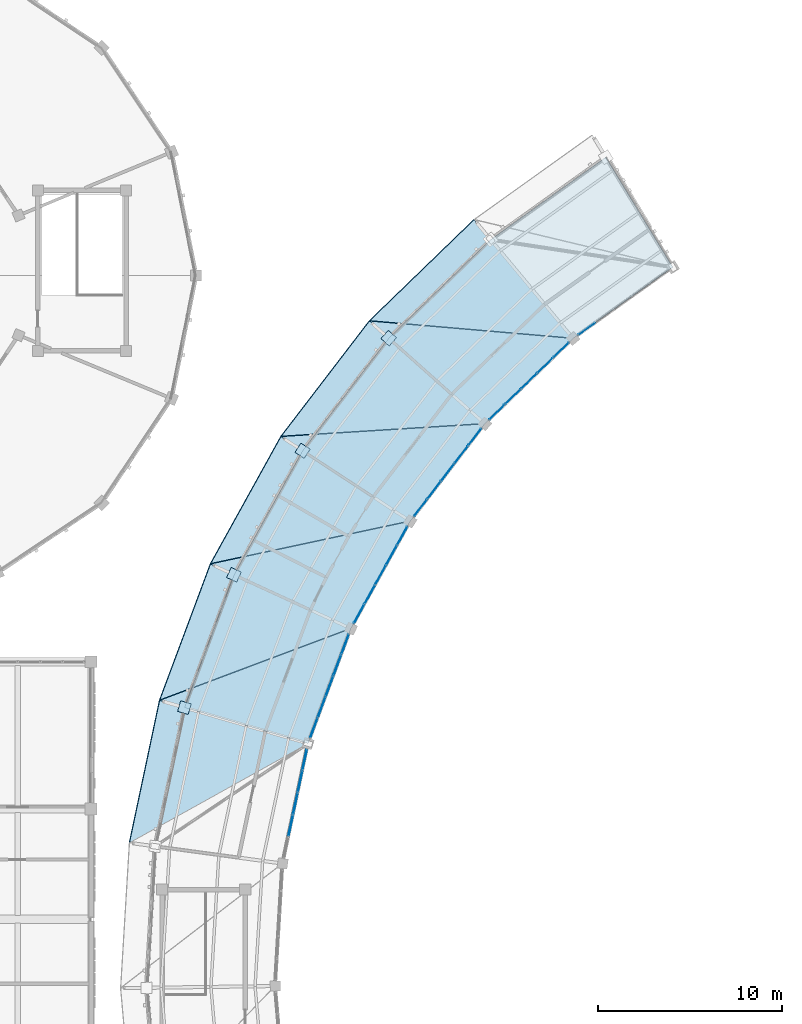
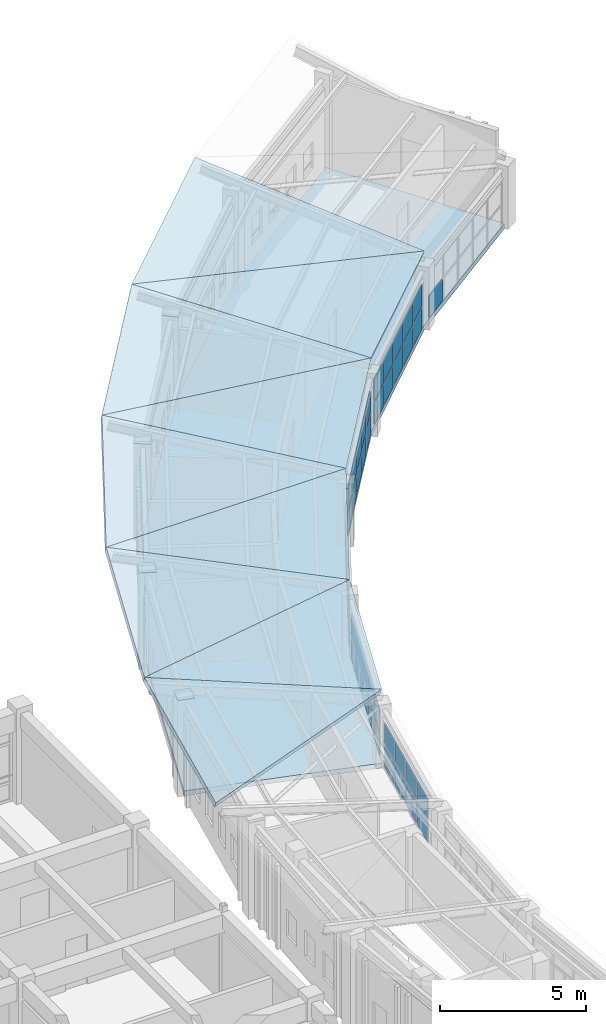
# One storey, part 107 of 149: 53 plates, 10 slabs, 6 elements without a shape of their own.
"""IFC4 building model written with IfcOpenShell, lengths in metres."""

from ifc_helpers import new_model, si_unit, direction, frame, origin, origin_2d, place, context, subcontext, project, spatial, polyline, rectangle, outline, extrude, material, layer, layer_set, type_object, element, aggregate, save


model = new_model("IFC4")

# Units and contexts
model_context = context("Model", 3, precision=1e-05, world=origin(), true_north=direction((0.0, 1.0)))
body_context = subcontext(model_context, "Body", "Model", "MODEL_VIEW")
ifc_project = project(units=[si_unit("LENGTHUNIT", "METRE"), si_unit("AREAUNIT", "SQUARE_METRE"), si_unit("VOLUMEUNIT", "CUBIC_METRE"), si_unit("PLANEANGLEUNIT", "RADIAN"), si_unit("MASSUNIT", "GRAM", prefix="KILO")], contexts=[model_context])

# Site, building, storey
site_placement = place(None, origin())
site = spatial("IfcSite", under=ifc_project, at=site_placement, CompositionType="ELEMENT")
building_placement = place(site_placement, origin())
building = spatial("IfcBuilding", under=site, at=building_placement, Name="Celadon Cloister-Ring School", CompositionType="ELEMENT")
storey_placement = place(building_placement, frame((0.0, 0.0, 12.5)))
storey = spatial("IfcBuildingStorey", under=building, at=storey_placement, Name="L03", CompositionType="ELEMENT", Elevation=12.5)

# Curtain wall, plate
ifc_material_1 = material(Name="Aluminium EN AW-6063 T6", Category="aluminium")
curtain_wall_type = type_object("IfcCurtainWallType", Name="CW-02", PredefinedType="USERDEFINED", material=ifc_material_1)
curtain_wall_1_placement = place(storey_placement, origin())
curtain_wall_1 = element("IfcCurtainWall", 1, at=curtain_wall_1_placement, inside=storey, type_object=curtain_wall_type, Name="Curtain Wall 0044", ObjectType="CURTAIN WALL", PredefinedType="USERDEFINED")
ifc_material_2 = material(Name="Tempered laminated insulating glass", Category="glass")
ifc_layer_1 = layer(ifc_material_2, 0.035888671875)
ifc_layer_set_1 = layer_set([ifc_layer_1], Name="Tempered laminated insulating glass")
plate_type_1 = type_object("IfcPlateType", Name="CPN-03", PredefinedType="CURTAIN_PANEL", material=ifc_layer_set_1)
plate_1_placement = place(storey_placement, frame((58.925048828125, 94.093994140625, 0.074951171875), z_axis=(0.0, 0.0, 1.0), x_axis=(-0.813445783279, -0.581640746221, 0.0)))
plate_1 = element("IfcPlate", 2, at=plate_1_placement, type_object=plate_type_1, Name="CW-02 panel 5.1", PredefinedType="CURTAIN_PANEL", context=body_context, shape_type="SweptSolid", body=[
    extrude(rectangle(XDim=1.101806640625, YDim=0.035888671875, at=origin_2d()), origin(), (0.0, 0.0, 1.0), 0.8974609375),
])
aggregate(curtain_wall_1, [plate_1])

# Curtain wall, plates
curtain_wall_2_placement = place(storey_placement, origin())
curtain_wall_2 = element("IfcCurtainWall", 3, at=curtain_wall_2_placement, inside=storey, type_object=curtain_wall_type, Name="Curtain Wall 0045", ObjectType="CURTAIN WALL", PredefinedType="USERDEFINED")
plate_2_placement = place(storey_placement, frame((57.53173828125, 92.93212890625, 0.074951171875), z_axis=(0.0, 0.0, 1.0), x_axis=(-0.718552007078, -0.695473229624, 0.0)))
plate_2 = element("IfcPlate", 4, at=plate_2_placement, type_object=plate_type_1, Name="CW-02 panel 1.1", PredefinedType="CURTAIN_PANEL", context=body_context, shape_type="SweptSolid", body=[
    extrude(rectangle(XDim=1.101806640625, YDim=0.035888671875, at=origin_2d()), origin(), (0.0, 0.0, 1.0), 0.8974609375),
])
plate_3_placement = place(storey_placement, frame((57.53173828125, 92.93212890625, 1.047607421875), z_axis=(0.0, 0.0, 1.0), x_axis=(-0.718552007078, -0.695473229624, 0.0)))
plate_3 = element("IfcPlate", 5, at=plate_3_placement, type_object=plate_type_1, Name="CW-02 panel 1.2", PredefinedType="CURTAIN_PANEL", context=body_context, shape_type="SweptSolid", body=[
    extrude(rectangle(XDim=1.101806640625, YDim=0.035888671875, at=origin_2d()), origin(), (0.0, 0.0, 1.0), 0.8974609375),
])
plate_4_placement = place(storey_placement, frame((56.66796875, 92.09619140625, 0.074951171875), z_axis=(0.0, 0.0, 1.0), x_axis=(-0.718552007078, -0.695473229624, 0.0)))
plate_4 = element("IfcPlate", 6, at=plate_4_placement, type_object=plate_type_1, Name="CW-02 panel 2.1", PredefinedType="CURTAIN_PANEL", context=body_context, shape_type="SweptSolid", body=[
    extrude(rectangle(XDim=1.141845703125, YDim=0.035888671875, at=origin_2d()), origin(), (0.0, 0.0, 1.0), 0.8974609375),
])
plate_5_placement = place(storey_placement, frame((56.66796875, 92.09619140625, 1.047607421875), z_axis=(0.0, 0.0, 1.0), x_axis=(-0.718552007078, -0.695473229624, 0.0)))
plate_5 = element("IfcPlate", 7, at=plate_5_placement, type_object=plate_type_1, Name="CW-02 panel 2.2", PredefinedType="CURTAIN_PANEL", context=body_context, shape_type="SweptSolid", body=[
    extrude(rectangle(XDim=1.141845703125, YDim=0.035888671875, at=origin_2d()), origin(), (0.0, 0.0, 1.0), 0.8974609375),
])
plate_6_placement = place(storey_placement, frame((55.7900390625, 91.24658203125, 0.074951171875), z_axis=(0.0, 0.0, 1.0), x_axis=(-0.718552007078, -0.695473229624, 0.0)))
plate_6 = element("IfcPlate", 8, at=plate_6_placement, type_object=plate_type_1, Name="CW-02 panel 3.1", PredefinedType="CURTAIN_PANEL", context=body_context, shape_type="SweptSolid", body=[
    extrude(rectangle(XDim=1.141845703125, YDim=0.035888671875, at=origin_2d()), origin(), (0.0, 0.0, 1.0), 0.8974609375),
])
plate_7_placement = place(storey_placement, frame((55.7900390625, 91.24658203125, 1.047607421875), z_axis=(0.0, 0.0, 1.0), x_axis=(-0.718552007078, -0.695473229624, 0.0)))
plate_7 = element("IfcPlate", 9, at=plate_7_placement, type_object=plate_type_1, Name="CW-02 panel 3.2", PredefinedType="CURTAIN_PANEL", context=body_context, shape_type="SweptSolid", body=[
    extrude(rectangle(XDim=1.141845703125, YDim=0.035888671875, at=origin_2d()), origin(), (0.0, 0.0, 1.0), 0.8974609375),
])
plate_8_placement = place(storey_placement, frame((54.912109375, 90.396728515625, 0.074951171875), z_axis=(0.0, 0.0, 1.0), x_axis=(-0.718552007078, -0.695473229624, 0.0)))
plate_8 = element("IfcPlate", 10, at=plate_8_placement, type_object=plate_type_1, Name="CW-02 panel 4.1", PredefinedType="CURTAIN_PANEL", context=body_context, shape_type="SweptSolid", body=[
    extrude(rectangle(XDim=1.141845703125, YDim=0.035888671875, at=origin_2d()), origin(), (0.0, 0.0, 1.0), 0.8974609375),
])
plate_9_placement = place(storey_placement, frame((54.912109375, 90.396728515625, 1.047607421875), z_axis=(0.0, 0.0, 1.0), x_axis=(-0.718552007078, -0.695473229624, 0.0)))
plate_9 = element("IfcPlate", 11, at=plate_9_placement, type_object=plate_type_1, Name="CW-02 panel 4.2", PredefinedType="CURTAIN_PANEL", context=body_context, shape_type="SweptSolid", body=[
    extrude(rectangle(XDim=1.141845703125, YDim=0.035888671875, at=origin_2d()), origin(), (0.0, 0.0, 1.0), 0.8974609375),
])
plate_10_placement = place(storey_placement, frame((54.04833984375, 89.560791015625, 0.074951171875), z_axis=(0.0, 0.0, 1.0), x_axis=(-0.718552007078, -0.695473229624, 0.0)))
plate_10 = element("IfcPlate", 12, at=plate_10_placement, type_object=plate_type_1, Name="CW-02 panel 5.1", PredefinedType="CURTAIN_PANEL", context=body_context, shape_type="SweptSolid", body=[
    extrude(rectangle(XDim=1.101806640625, YDim=0.035888671875, at=origin_2d()), origin(), (0.0, 0.0, 1.0), 0.8974609375),
])
plate_11_placement = place(storey_placement, frame((54.04833984375, 89.560791015625, 1.047607421875), z_axis=(0.0, 0.0, 1.0), x_axis=(-0.718552007078, -0.695473229624, 0.0)))
plate_11 = element("IfcPlate", 13, at=plate_11_placement, type_object=plate_type_1, Name="CW-02 panel 5.2", PredefinedType="CURTAIN_PANEL", context=body_context, shape_type="SweptSolid", body=[
    extrude(rectangle(XDim=1.101806640625, YDim=0.035888671875, at=origin_2d()), origin(), (0.0, 0.0, 1.0), 0.8974609375),
])
aggregate(curtain_wall_2, [plate_2, plate_3, plate_4, plate_5, plate_6, plate_7, plate_8, plate_9, plate_10, plate_11])

curtain_wall_3_placement = place(storey_placement, origin())
curtain_wall_3 = element("IfcCurtainWall", 14, at=curtain_wall_3_placement, inside=storey, type_object=curtain_wall_type, Name="Curtain Wall 0046", ObjectType="CURTAIN WALL", PredefinedType="USERDEFINED")
plate_12_placement = place(storey_placement, frame((52.84228515625, 88.2060546875, 0.074951171875), z_axis=(0.0, 0.0, 1.0), x_axis=(-0.608008842091, -0.793930253825, 0.0)))
plate_12 = element("IfcPlate", 15, at=plate_12_placement, type_object=plate_type_1, Name="CW-02 panel 1.1", PredefinedType="CURTAIN_PANEL", context=body_context, shape_type="SweptSolid", body=[
    extrude(rectangle(XDim=1.10205078125, YDim=0.035888671875, at=origin_2d()), origin(), (0.0, 0.0, 1.0), 0.8974609375),
])
plate_13_placement = place(storey_placement, frame((52.84228515625, 88.2060546875, 1.047607421875), z_axis=(0.0, 0.0, 1.0), x_axis=(-0.608008842091, -0.793930253825, 0.0)))
plate_13 = element("IfcPlate", 16, at=plate_13_placement, type_object=plate_type_1, Name="CW-02 panel 1.2", PredefinedType="CURTAIN_PANEL", context=body_context, shape_type="SweptSolid", body=[
    extrude(rectangle(XDim=1.10205078125, YDim=0.035888671875, at=origin_2d()), origin(), (0.0, 0.0, 1.0), 0.8974609375),
])
plate_14_placement = place(storey_placement, frame((52.111572265625, 87.251708984375, 0.074951171875), z_axis=(0.0, 0.0, 1.0), x_axis=(-0.608008842091, -0.793930253825, 0.0)))
plate_14 = element("IfcPlate", 17, at=plate_14_placement, type_object=plate_type_1, Name="CW-02 panel 2.1", PredefinedType="CURTAIN_PANEL", context=body_context, shape_type="SweptSolid", body=[
    extrude(rectangle(XDim=1.14208984375, YDim=0.035888671875, at=origin_2d()), origin(), (0.0, 0.0, 1.0), 0.8974609375),
])
plate_15_placement = place(storey_placement, frame((52.111572265625, 87.251708984375, 1.047607421875), z_axis=(0.0, 0.0, 1.0), x_axis=(-0.608008842091, -0.793930253825, 0.0)))
plate_15 = element("IfcPlate", 18, at=plate_15_placement, type_object=plate_type_1, Name="CW-02 panel 2.2", PredefinedType="CURTAIN_PANEL", context=body_context, shape_type="SweptSolid", body=[
    extrude(rectangle(XDim=1.14208984375, YDim=0.035888671875, at=origin_2d()), origin(), (0.0, 0.0, 1.0), 0.8974609375),
])
plate_16_placement = place(storey_placement, frame((51.368408203125, 86.281494140625, 0.074951171875), z_axis=(0.0, 0.0, 1.0), x_axis=(-0.608008842091, -0.793930253825, 0.0)))
plate_16 = element("IfcPlate", 19, at=plate_16_placement, type_object=plate_type_1, Name="CW-02 panel 3.1", PredefinedType="CURTAIN_PANEL", context=body_context, shape_type="SweptSolid", body=[
    extrude(rectangle(XDim=1.14208984375, YDim=0.035888671875, at=origin_2d()), origin(), (0.0, 0.0, 1.0), 0.8974609375),
])
plate_17_placement = place(storey_placement, frame((51.368408203125, 86.281494140625, 1.047607421875), z_axis=(0.0, 0.0, 1.0), x_axis=(-0.608008842091, -0.793930253825, 0.0)))
plate_17 = element("IfcPlate", 20, at=plate_17_placement, type_object=plate_type_1, Name="CW-02 panel 3.2", PredefinedType="CURTAIN_PANEL", context=body_context, shape_type="SweptSolid", body=[
    extrude(rectangle(XDim=1.14208984375, YDim=0.035888671875, at=origin_2d()), origin(), (0.0, 0.0, 1.0), 0.8974609375),
])
plate_18_placement = place(storey_placement, frame((50.62548828125, 85.311279296875, 0.074951171875), z_axis=(0.0, 0.0, 1.0), x_axis=(-0.608008842091, -0.793930253825, 0.0)))
plate_18 = element("IfcPlate", 21, at=plate_18_placement, type_object=plate_type_1, Name="CW-02 panel 4.1", PredefinedType="CURTAIN_PANEL", context=body_context, shape_type="SweptSolid", body=[
    extrude(rectangle(XDim=1.14208984375, YDim=0.035888671875, at=origin_2d()), origin(), (0.0, 0.0, 1.0), 0.8974609375),
])
plate_19_placement = place(storey_placement, frame((50.62548828125, 85.311279296875, 1.047607421875), z_axis=(0.0, 0.0, 1.0), x_axis=(-0.608008842091, -0.793930253825, 0.0)))
plate_19 = element("IfcPlate", 22, at=plate_19_placement, type_object=plate_type_1, Name="CW-02 panel 4.2", PredefinedType="CURTAIN_PANEL", context=body_context, shape_type="SweptSolid", body=[
    extrude(rectangle(XDim=1.14208984375, YDim=0.035888671875, at=origin_2d()), origin(), (0.0, 0.0, 1.0), 0.8974609375),
])
plate_20_placement = place(storey_placement, frame((49.894775390625, 84.35693359375, 0.074951171875), z_axis=(0.0, 0.0, 1.0), x_axis=(-0.608008842091, -0.793930253825, 0.0)))
plate_20 = element("IfcPlate", 23, at=plate_20_placement, type_object=plate_type_1, Name="CW-02 panel 5.1", PredefinedType="CURTAIN_PANEL", context=body_context, shape_type="SweptSolid", body=[
    extrude(rectangle(XDim=1.10205078125, YDim=0.035888671875, at=origin_2d()), origin(), (0.0, 0.0, 1.0), 0.8974609375),
])
plate_21_placement = place(storey_placement, frame((49.894775390625, 84.35693359375, 1.047607421875), z_axis=(0.0, 0.0, 1.0), x_axis=(-0.608008842091, -0.793930253825, 0.0)))
plate_21 = element("IfcPlate", 24, at=plate_21_placement, type_object=plate_type_1, Name="CW-02 panel 5.2", PredefinedType="CURTAIN_PANEL", context=body_context, shape_type="SweptSolid", body=[
    extrude(rectangle(XDim=1.10205078125, YDim=0.035888671875, at=origin_2d()), origin(), (0.0, 0.0, 1.0), 0.8974609375),
])
aggregate(curtain_wall_3, [plate_12, plate_13, plate_14, plate_15, plate_16, plate_17, plate_18, plate_19, plate_20, plate_21])

curtain_wall_4_placement = place(storey_placement, origin())
curtain_wall_4 = element("IfcCurtainWall", 25, at=curtain_wall_4_placement, inside=storey, type_object=curtain_wall_type, Name="Curtain Wall 0047", ObjectType="CURTAIN WALL", PredefinedType="USERDEFINED")
plate_22_placement = place(storey_placement, frame((48.901611328125, 82.8388671875, 0.074951171875), z_axis=(0.0, 0.0, 1.0), x_axis=(-0.483890699018, -0.875128442804, 0.0)))
plate_22 = element("IfcPlate", 26, at=plate_22_placement, type_object=plate_type_1, Name="CW-02 panel 1.1", PredefinedType="CURTAIN_PANEL", context=body_context, shape_type="SweptSolid", body=[
    extrude(rectangle(XDim=1.101806640625, YDim=0.035888671875, at=origin_2d()), origin(), (0.0, 0.0, 1.0), 0.8974609375),
])
plate_23_placement = place(storey_placement, frame((48.901611328125, 82.8388671875, 1.047607421875), z_axis=(0.0, 0.0, 1.0), x_axis=(-0.483890699018, -0.875128442804, 0.0)))
plate_23 = element("IfcPlate", 27, at=plate_23_placement, type_object=plate_type_1, Name="CW-02 panel 1.2", PredefinedType="CURTAIN_PANEL", context=body_context, shape_type="SweptSolid", body=[
    extrude(rectangle(XDim=1.101806640625, YDim=0.035888671875, at=origin_2d()), origin(), (0.0, 0.0, 1.0), 0.8974609375),
])
plate_24_placement = place(storey_placement, frame((48.3203125, 81.787109375, 0.074951171875), z_axis=(0.0, 0.0, 1.0), x_axis=(-0.483890699018, -0.875128442804, 0.0)))
plate_24 = element("IfcPlate", 28, at=plate_24_placement, type_object=plate_type_1, Name="CW-02 panel 2.1", PredefinedType="CURTAIN_PANEL", context=body_context, shape_type="SweptSolid", body=[
    extrude(rectangle(XDim=1.141845703125, YDim=0.035888671875, at=origin_2d()), origin(), (0.0, 0.0, 1.0), 0.8974609375),
])
plate_25_placement = place(storey_placement, frame((48.3203125, 81.787109375, 1.047607421875), z_axis=(0.0, 0.0, 1.0), x_axis=(-0.483890699018, -0.875128442804, 0.0)))
plate_25 = element("IfcPlate", 29, at=plate_25_placement, type_object=plate_type_1, Name="CW-02 panel 2.2", PredefinedType="CURTAIN_PANEL", context=body_context, shape_type="SweptSolid", body=[
    extrude(rectangle(XDim=1.141845703125, YDim=0.035888671875, at=origin_2d()), origin(), (0.0, 0.0, 1.0), 0.8974609375),
])
plate_26_placement = place(storey_placement, frame((47.72900390625, 80.718017578125, 0.074951171875), z_axis=(0.0, 0.0, 1.0), x_axis=(-0.483890699018, -0.875128442804, 0.0)))
plate_26 = element("IfcPlate", 30, at=plate_26_placement, type_object=plate_type_1, Name="CW-02 panel 3.1", PredefinedType="CURTAIN_PANEL", context=body_context, shape_type="SweptSolid", body=[
    extrude(rectangle(XDim=1.141845703125, YDim=0.035888671875, at=origin_2d()), origin(), (0.0, 0.0, 1.0), 0.8974609375),
])
plate_27_placement = place(storey_placement, frame((47.72900390625, 80.718017578125, 1.047607421875), z_axis=(0.0, 0.0, 1.0), x_axis=(-0.483890699018, -0.875128442804, 0.0)))
plate_27 = element("IfcPlate", 31, at=plate_27_placement, type_object=plate_type_1, Name="CW-02 panel 3.2", PredefinedType="CURTAIN_PANEL", context=body_context, shape_type="SweptSolid", body=[
    extrude(rectangle(XDim=1.141845703125, YDim=0.035888671875, at=origin_2d()), origin(), (0.0, 0.0, 1.0), 0.8974609375),
])
plate_28_placement = place(storey_placement, frame((47.1376953125, 79.648681640625, 0.074951171875), z_axis=(0.0, 0.0, 1.0), x_axis=(-0.483890699018, -0.875128442804, 0.0)))
plate_28 = element("IfcPlate", 32, at=plate_28_placement, type_object=plate_type_1, Name="CW-02 panel 4.1", PredefinedType="CURTAIN_PANEL", context=body_context, shape_type="SweptSolid", body=[
    extrude(rectangle(XDim=1.141845703125, YDim=0.035888671875, at=origin_2d()), origin(), (0.0, 0.0, 1.0), 0.8974609375),
])
plate_29_placement = place(storey_placement, frame((47.1376953125, 79.648681640625, 1.047607421875), z_axis=(0.0, 0.0, 1.0), x_axis=(-0.483890699018, -0.875128442804, 0.0)))
plate_29 = element("IfcPlate", 33, at=plate_29_placement, type_object=plate_type_1, Name="CW-02 panel 4.2", PredefinedType="CURTAIN_PANEL", context=body_context, shape_type="SweptSolid", body=[
    extrude(rectangle(XDim=1.141845703125, YDim=0.035888671875, at=origin_2d()), origin(), (0.0, 0.0, 1.0), 0.8974609375),
])
plate_30_placement = place(storey_placement, frame((46.556396484375, 78.59716796875, 0.074951171875), z_axis=(0.0, 0.0, 1.0), x_axis=(-0.483890699018, -0.875128442804, 0.0)))
plate_30 = element("IfcPlate", 34, at=plate_30_placement, type_object=plate_type_1, Name="CW-02 panel 5.1", PredefinedType="CURTAIN_PANEL", context=body_context, shape_type="SweptSolid", body=[
    extrude(rectangle(XDim=1.101806640625, YDim=0.035888671875, at=origin_2d()), origin(), (0.0, 0.0, 1.0), 0.8974609375),
])
plate_31_placement = place(storey_placement, frame((46.556396484375, 78.59716796875, 1.047607421875), z_axis=(0.0, 0.0, 1.0), x_axis=(-0.483890699018, -0.875128442804, 0.0)))
plate_31 = element("IfcPlate", 35, at=plate_31_placement, type_object=plate_type_1, Name="CW-02 panel 5.2", PredefinedType="CURTAIN_PANEL", context=body_context, shape_type="SweptSolid", body=[
    extrude(rectangle(XDim=1.101806640625, YDim=0.035888671875, at=origin_2d()), origin(), (0.0, 0.0, 1.0), 0.8974609375),
])
aggregate(curtain_wall_4, [plate_22, plate_23, plate_24, plate_25, plate_26, plate_27, plate_28, plate_29, plate_30, plate_31])

curtain_wall_5_placement = place(storey_placement, origin())
curtain_wall_5 = element("IfcCurtainWall", 36, at=curtain_wall_5_placement, inside=storey, type_object=curtain_wall_type, Name="Curtain Wall 0048", ObjectType="CURTAIN WALL", PredefinedType="USERDEFINED")
plate_32_placement = place(storey_placement, frame((45.798583984375, 76.948974609375, 0.074951171875), z_axis=(0.0, 0.0, 1.0), x_axis=(-0.349472568576, -0.93694659603, 0.0)))
plate_32 = element("IfcPlate", 37, at=plate_32_placement, type_object=plate_type_1, Name="CW-02 panel 1.1", PredefinedType="CURTAIN_PANEL", context=body_context, shape_type="SweptSolid", body=[
    extrude(rectangle(XDim=1.101806640625, YDim=0.035888671875, at=origin_2d()), origin(), (0.0, 0.0, 1.0), 0.8974609375),
])
plate_33_placement = place(storey_placement, frame((45.798583984375, 76.948974609375, 1.047607421875), z_axis=(0.0, 0.0, 1.0), x_axis=(-0.349472568576, -0.93694659603, 0.0)))
plate_33 = element("IfcPlate", 38, at=plate_33_placement, type_object=plate_type_1, Name="CW-02 panel 1.2", PredefinedType="CURTAIN_PANEL", context=body_context, shape_type="SweptSolid", body=[
    extrude(rectangle(XDim=1.101806640625, YDim=0.035888671875, at=origin_2d()), origin(), (0.0, 0.0, 1.0), 0.8974609375),
])
plate_34_placement = place(storey_placement, frame((45.37841796875, 75.82275390625, 0.074951171875), z_axis=(0.0, 0.0, 1.0), x_axis=(-0.349472568576, -0.93694659603, 0.0)))
plate_34 = element("IfcPlate", 39, at=plate_34_placement, type_object=plate_type_1, Name="CW-02 panel 2.1", PredefinedType="CURTAIN_PANEL", context=body_context, shape_type="SweptSolid", body=[
    extrude(rectangle(XDim=1.141845703125, YDim=0.035888671875, at=origin_2d()), origin(), (0.0, 0.0, 1.0), 0.8974609375),
])
plate_35_placement = place(storey_placement, frame((45.37841796875, 75.82275390625, 1.047607421875), z_axis=(0.0, 0.0, 1.0), x_axis=(-0.349472568576, -0.93694659603, 0.0)))
plate_35 = element("IfcPlate", 40, at=plate_35_placement, type_object=plate_type_1, Name="CW-02 panel 2.2", PredefinedType="CURTAIN_PANEL", context=body_context, shape_type="SweptSolid", body=[
    extrude(rectangle(XDim=1.141845703125, YDim=0.035888671875, at=origin_2d()), origin(), (0.0, 0.0, 1.0), 0.8974609375),
])
plate_36_placement = place(storey_placement, frame((44.951416015625, 74.677978515625, 0.074951171875), z_axis=(0.0, 0.0, 1.0), x_axis=(-0.349472568576, -0.93694659603, 0.0)))
plate_36 = element("IfcPlate", 41, at=plate_36_placement, type_object=plate_type_1, Name="CW-02 panel 3.1", PredefinedType="CURTAIN_PANEL", context=body_context, shape_type="SweptSolid", body=[
    extrude(rectangle(XDim=1.141845703125, YDim=0.035888671875, at=origin_2d()), origin(), (0.0, 0.0, 1.0), 0.8974609375),
])
plate_37_placement = place(storey_placement, frame((44.951416015625, 74.677978515625, 1.047607421875), z_axis=(0.0, 0.0, 1.0), x_axis=(-0.349472568576, -0.93694659603, 0.0)))
plate_37 = element("IfcPlate", 42, at=plate_37_placement, type_object=plate_type_1, Name="CW-02 panel 3.2", PredefinedType="CURTAIN_PANEL", context=body_context, shape_type="SweptSolid", body=[
    extrude(rectangle(XDim=1.141845703125, YDim=0.035888671875, at=origin_2d()), origin(), (0.0, 0.0, 1.0), 0.8974609375),
])
plate_38_placement = place(storey_placement, frame((44.5244140625, 73.533203125, 0.074951171875), z_axis=(0.0, 0.0, 1.0), x_axis=(-0.349472568576, -0.93694659603, 0.0)))
plate_38 = element("IfcPlate", 43, at=plate_38_placement, type_object=plate_type_1, Name="CW-02 panel 4.1", PredefinedType="CURTAIN_PANEL", context=body_context, shape_type="SweptSolid", body=[
    extrude(rectangle(XDim=1.141845703125, YDim=0.035888671875, at=origin_2d()), origin(), (0.0, 0.0, 1.0), 0.8974609375),
])
plate_39_placement = place(storey_placement, frame((44.5244140625, 73.533203125, 1.047607421875), z_axis=(0.0, 0.0, 1.0), x_axis=(-0.349472568576, -0.93694659603, 0.0)))
plate_39 = element("IfcPlate", 44, at=plate_39_placement, type_object=plate_type_1, Name="CW-02 panel 4.2", PredefinedType="CURTAIN_PANEL", context=body_context, shape_type="SweptSolid", body=[
    extrude(rectangle(XDim=1.141845703125, YDim=0.035888671875, at=origin_2d()), origin(), (0.0, 0.0, 1.0), 0.8974609375),
])
plate_40_placement = place(storey_placement, frame((44.1044921875, 72.4072265625, 0.074951171875), z_axis=(0.0, 0.0, 1.0), x_axis=(-0.349472568576, -0.93694659603, 0.0)))
plate_40 = element("IfcPlate", 45, at=plate_40_placement, type_object=plate_type_1, Name="CW-02 panel 5.1", PredefinedType="CURTAIN_PANEL", context=body_context, shape_type="SweptSolid", body=[
    extrude(rectangle(XDim=1.101806640625, YDim=0.035888671875, at=origin_2d()), origin(), (0.0, 0.0, 1.0), 0.8974609375),
])
plate_41_placement = place(storey_placement, frame((44.1044921875, 72.4072265625, 1.047607421875), z_axis=(0.0, 0.0, 1.0), x_axis=(-0.349472568576, -0.93694659603, 0.0)))
plate_41 = element("IfcPlate", 46, at=plate_41_placement, type_object=plate_type_1, Name="CW-02 panel 5.2", PredefinedType="CURTAIN_PANEL", context=body_context, shape_type="SweptSolid", body=[
    extrude(rectangle(XDim=1.101806640625, YDim=0.035888671875, at=origin_2d()), origin(), (0.0, 0.0, 1.0), 0.8974609375),
])
aggregate(curtain_wall_5, [plate_32, plate_33, plate_34, plate_35, plate_36, plate_37, plate_38, plate_39, plate_40, plate_41])

curtain_wall_6_placement = place(storey_placement, origin())
curtain_wall_6 = element("IfcCurtainWall", 47, at=curtain_wall_6_placement, inside=storey, type_object=curtain_wall_type, Name="Curtain Wall 0049", ObjectType="CURTAIN WALL", PredefinedType="USERDEFINED")
plate_42_placement = place(storey_placement, frame((43.598388671875, 70.664794921875, 0.074951171875), z_axis=(0.0, 0.0, 1.0), x_axis=(-0.207058016061, -0.978328665626, 0.0)))
plate_42 = element("IfcPlate", 48, at=plate_42_placement, type_object=plate_type_1, Name="CW-02 panel 1.1", PredefinedType="CURTAIN_PANEL", context=body_context, shape_type="SweptSolid", body=[
    extrude(rectangle(XDim=1.101806640625, YDim=0.035888671875, at=origin_2d()), origin(), (0.0, 0.0, 1.0), 0.8974609375),
])
plate_43_placement = place(storey_placement, frame((43.598388671875, 70.664794921875, 1.047607421875), z_axis=(0.0, 0.0, 1.0), x_axis=(-0.207058016061, -0.978328665626, 0.0)))
plate_43 = element("IfcPlate", 49, at=plate_43_placement, type_object=plate_type_1, Name="CW-02 panel 1.2", PredefinedType="CURTAIN_PANEL", context=body_context, shape_type="SweptSolid", body=[
    extrude(rectangle(XDim=1.101806640625, YDim=0.035888671875, at=origin_2d()), origin(), (0.0, 0.0, 1.0), 0.8974609375),
])
plate_44_placement = place(storey_placement, frame((43.349609375, 69.489013671875, 0.074951171875), z_axis=(0.0, 0.0, 1.0), x_axis=(-0.207058016061, -0.978328665626, 0.0)))
plate_44 = element("IfcPlate", 50, at=plate_44_placement, type_object=plate_type_1, Name="CW-02 panel 2.1", PredefinedType="CURTAIN_PANEL", context=body_context, shape_type="SweptSolid", body=[
    extrude(rectangle(XDim=1.141845703125, YDim=0.035888671875, at=origin_2d()), origin(), (0.0, 0.0, 1.0), 0.8974609375),
])
plate_45_placement = place(storey_placement, frame((43.349609375, 69.489013671875, 1.047607421875), z_axis=(0.0, 0.0, 1.0), x_axis=(-0.207058016061, -0.978328665626, 0.0)))
plate_45 = element("IfcPlate", 51, at=plate_45_placement, type_object=plate_type_1, Name="CW-02 panel 2.2", PredefinedType="CURTAIN_PANEL", context=body_context, shape_type="SweptSolid", body=[
    extrude(rectangle(XDim=1.141845703125, YDim=0.035888671875, at=origin_2d()), origin(), (0.0, 0.0, 1.0), 0.8974609375),
])
plate_46_placement = place(storey_placement, frame((43.096435546875, 68.29345703125, 0.074951171875), z_axis=(0.0, 0.0, 1.0), x_axis=(-0.207058016061, -0.978328665626, 0.0)))
plate_46 = element("IfcPlate", 52, at=plate_46_placement, type_object=plate_type_1, Name="CW-02 panel 3.1", PredefinedType="CURTAIN_PANEL", context=body_context, shape_type="SweptSolid", body=[
    extrude(rectangle(XDim=1.141845703125, YDim=0.035888671875, at=origin_2d()), origin(), (0.0, 0.0, 1.0), 0.8974609375),
])
plate_47_placement = place(storey_placement, frame((43.096435546875, 68.29345703125, 1.047607421875), z_axis=(0.0, 0.0, 1.0), x_axis=(-0.207058016061, -0.978328665626, 0.0)))
plate_47 = element("IfcPlate", 53, at=plate_47_placement, type_object=plate_type_1, Name="CW-02 panel 3.2", PredefinedType="CURTAIN_PANEL", context=body_context, shape_type="SweptSolid", body=[
    extrude(rectangle(XDim=1.141845703125, YDim=0.035888671875, at=origin_2d()), origin(), (0.0, 0.0, 1.0), 0.8974609375),
])
plate_48_placement = place(storey_placement, frame((42.843505859375, 67.09814453125, 0.074951171875), z_axis=(0.0, 0.0, 1.0), x_axis=(-0.207058016061, -0.978328665626, 0.0)))
plate_48 = element("IfcPlate", 54, at=plate_48_placement, type_object=plate_type_1, Name="CW-02 panel 4.1", PredefinedType="CURTAIN_PANEL", context=body_context, shape_type="SweptSolid", body=[
    extrude(rectangle(XDim=1.141845703125, YDim=0.035888671875, at=origin_2d()), origin(), (0.0, 0.0, 1.0), 0.8974609375),
])
plate_49_placement = place(storey_placement, frame((42.843505859375, 67.09814453125, 1.047607421875), z_axis=(0.0, 0.0, 1.0), x_axis=(-0.207058016061, -0.978328665626, 0.0)))
plate_49 = element("IfcPlate", 55, at=plate_49_placement, type_object=plate_type_1, Name="CW-02 panel 4.2", PredefinedType="CURTAIN_PANEL", context=body_context, shape_type="SweptSolid", body=[
    extrude(rectangle(XDim=1.141845703125, YDim=0.035888671875, at=origin_2d()), origin(), (0.0, 0.0, 1.0), 0.8974609375),
])
aggregate(curtain_wall_6, [plate_42, plate_43, plate_44, plate_45, plate_46, plate_47, plate_48, plate_49])

# Plates
ifc_material_3 = material(Name="Structural steel S355JR", Category="steel")
ifc_layer_2 = layer(ifc_material_3, 0.02001953125)
ifc_layer_set_2 = layer_set([ifc_layer_2], Name="Structural steel S355JR")
plate_type_2 = type_object("IfcPlateType", Name="PT-01", PredefinedType="SHEET", material=ifc_layer_set_2)
for number, where, z_axis, x_axis, name in (
    (56, (48.16796875, 93.583984375, 4.041015625), (0.0, 0.0, 1.0), (-0.746777491428, 0.66507396453, 0.0), "Gusset Plate 0007"),
    (57, (43.48388671875, 87.467041015625, 4.041015625), (0.0, 0.0, 1.0), (-0.836840759551, 0.547446383817, 0.0), "Gusset Plate 0008"),
    (58, (39.756103515625, 80.72607421875, 4.041015625), (0.0, 0.0, 1.0), (-0.908537347938, 0.417803646947, 0.0), "Gusset Plate 0009"),
    (59, (37.06494140625, 73.508056640625, 4.0390625), (0.0, 0.0, 1.0), (-0.960293685677, 0.278991106039, 0.0), "Gusset Plate 0010"),
):
    element("IfcPlate", number, at=place(storey_placement, frame(where, z_axis=z_axis, x_axis=x_axis)), inside=storey, type_object=plate_type_2, Name=name, PredefinedType="SHEET", context=body_context, shape_type="SweptSolid", body=[
        extrude(rectangle(XDim=0.60009765625, YDim=0.60009765625, at=origin_2d()), origin(), (0.0, 0.0, 1.0), 0.02001953125),
    ])

# Slabs
ifc_material_4 = material(Name="Concrete C35/45", Category="concrete")
ifc_layer_3 = layer(ifc_material_4, 0.199951171875)
ifc_layer_set_3 = layer_set([ifc_layer_3], Name="Concrete C35/45")
slab_type_1 = type_object("IfcSlabType", Name="SL-FL1", PredefinedType="FLOOR", material=ifc_layer_set_3)
slab_1_placement = place(storey_placement, frame((0.0, 0.0, -0.199951171875)))
element("IfcSlab", 60, at=slab_1_placement, inside=storey, type_object=slab_type_1, Name="Ring L03 Sector 0022", PredefinedType="FLOOR", context=body_context, shape_type="SweptSolid", body=[
    extrude(outline(polyline([(63.60791015625, 97.44189453125), (58.18505859375, 93.56494140625), (53.39501953125, 88.927978515625), (49.342041015625, 83.635009765625), (46.115966796875, 77.801025390625), (43.787109375, 71.554931640625), (37.06494140625, 73.508056640625), (39.756103515625, 80.72607421875), (43.48388671875, 87.467041015625), (48.16796875, 93.583984375), (53.702880859375, 98.94091796875), (59.968994140625, 103.422119140625), (63.60791015625, 97.44189453125)])), origin(), (0.0, 0.0, 1.0), 0.199951171875),
])
ifc_material_5 = material(Name="Concrete C35/45", Category="concrete")
ifc_layer_4 = layer(ifc_material_5, 0.179931640625)
ifc_layer_set_4 = layer_set([ifc_layer_4], Name="Concrete C35/45")
slab_type_2 = type_object("IfcSlabType", Name="SL-RF1", PredefinedType="ROOF", material=ifc_layer_set_4)
slab_2_placement = place(storey_placement, frame((58.18505859375, 93.56494140625, 3.10009765625), z_axis=(0.153833428165, -0.158939138964, 0.975230037727), x_axis=(-0.624505833458, 0.749214225187, 0.220613935992)))
element("IfcSlab", 61, at=slab_2_placement, inside=storey, type_object=slab_type_2, Name="Conical Upper Roof Inner Tri 0007", PredefinedType="ROOF", context=body_context, shape_type="SweptSolid", body=[
    extrude(outline(polyline([(0.0, 0.0), (8.611887255465504, 1.2836953722228372e-16), (8.039762582380803, 7.890751768669311), (0.0, 0.0)])), origin(), (0.0, 0.0, -1.0), 0.179931640625),
])
slab_3_placement = place(storey_placement, frame((58.18505859375, 93.56494140625, 3.10009765625), z_axis=(0.153836147118, -0.158914610985, 0.975233605992), x_axis=(-0.982061428209, 0.084327161962, 0.168654323925)))
element("IfcSlab", 62, at=slab_3_placement, inside=storey, type_object=slab_type_2, Name="Conical Upper Roof Outer Tri 0008", PredefinedType="ROOF", context=body_context, shape_type="SweptSolid", body=[
    extrude(outline(polyline([(0.0, 0.0), (11.265067503384447, 1.6653345369377348e-16), (4.313090682206717, 5.083615626340255), (0.0, 0.0)])), origin(), (0.0, 0.0, -1.0), 0.179931640625),
])
slab_4_placement = place(storey_placement, frame((53.39501953125, 88.927978515625, 3.10009765625), z_axis=(0.175615431796, -0.134460791212, 0.975233057142), x_axis=(-0.728363996349, 0.648707157019, 0.220601253973)))
element("IfcSlab", 63, at=slab_4_placement, inside=storey, type_object=slab_type_2, Name="Conical Upper Roof Inner Tri 0011", PredefinedType="ROOF", context=body_context, shape_type="SweptSolid", body=[
    extrude(outline(polyline([(0.0, 0.0), (8.612382339316063, -6.036837696399289e-16), (8.040611092111567, 7.889954513789348), (0.0, 0.0)])), origin(), (0.0, 0.0, -1.0), 0.179931640625),
])
slab_5_placement = place(storey_placement, frame((53.39501953125, 88.927978515625, 3.10009765625), z_axis=(0.175615938181, -0.134474178494, 0.975231120081), x_axis=(-0.983747751852, -0.06161426812, 0.168653617486)))
element("IfcSlab", 64, at=slab_5_placement, inside=storey, type_object=slab_type_2, Name="Conical Upper Roof Outer Tri 0012", PredefinedType="ROOF", context=body_context, shape_type="SweptSolid", body=[
    extrude(outline(polyline([(0.0, 0.0), (11.265114689351922, -1.1102230246251565e-16), (4.313230898763348, 5.083128195368233), (0.0, 0.0)])), origin(), (0.0, 0.0, -1.0), 0.179931640625),
])
slab_6_placement = place(storey_placement, frame((49.342041015625, 83.635009765625, 3.10009765625), z_axis=(0.193554179583, -0.107056839913, 0.975231056004), x_axis=(-0.816190988071, 0.534006795259, 0.220610547364)))
element("IfcSlab", 65, at=slab_6_placement, inside=storey, type_object=slab_type_2, Name="Conical Upper Roof Inner Tri 0015", PredefinedType="ROOF", context=body_context, shape_type="SweptSolid", body=[
    extrude(outline(polyline([(0.0, 0.0), (8.612019535997101, 3.712308238590367e-16), (8.040447946775604, 7.890576560096443), (0.0, 0.0)])), origin(), (0.0, 0.0, -1.0), 0.179931640625),
])
slab_7_placement = place(storey_placement, frame((49.342041015625, 83.635009765625, 3.10009765625), z_axis=(0.193548855726, -0.107028564595, 0.975235216144), x_axis=(-0.963846964454, -0.206292507131, 0.168648838165)))
element("IfcSlab", 66, at=slab_7_placement, inside=storey, type_object=slab_type_2, Name="Conical Upper Roof Outer Tri 0016", PredefinedType="ROOF", context=body_context, shape_type="SweptSolid", body=[
    extrude(outline(polyline([(0.0, 0.0), (11.265433930193343, 1.6653345369377348e-16), (4.312949106125961, 5.083443573070801), (0.0, 0.0)])), origin(), (0.0, 0.0, -1.0), 0.179931640625),
])
slab_8_placement = place(storey_placement, frame((46.115966796875, 77.801025390625, 3.10009765625), z_axis=(0.207236353585, -0.077266590665, 0.975234826962), x_axis=(-0.88614350675, 0.407539272466, 0.220593351765)))
element("IfcSlab", 67, at=slab_8_placement, inside=storey, type_object=slab_type_2, Name="Conical Upper Roof Inner Tri 0019", PredefinedType="ROOF", context=body_context, shape_type="SweptSolid", body=[
    extrude(outline(polyline([(0.0, 0.0), (8.612690856490909, 6.175615574477433e-16), (8.04079343724614, 7.890881332275237), (0.0, 0.0)])), origin(), (0.0, 0.0, -1.0), 0.179931640625),
])
slab_9_placement = place(storey_placement, frame((46.115966796875, 77.801025390625, 3.10009765625), z_axis=(0.207236963987, -0.077268347384, 0.975234558068), x_axis=(-0.922784832416, -0.346450639139, 0.168641951197)))
element("IfcSlab", 68, at=slab_9_placement, inside=storey, type_object=slab_type_2, Name="Conical Upper Roof Outer Tri 0020", PredefinedType="ROOF", context=body_context, shape_type="SweptSolid", body=[
    extrude(outline(polyline([(0.0, 0.0), (11.265893985854403, 2.7755575615628914e-16), (4.312997477576611, 5.082845343272715), (0.0, 0.0)])), origin(), (0.0, 0.0, -1.0), 0.179931640625),
])
slab_10_placement = place(storey_placement, frame((43.787109375, 71.554931640625, 3.10009765625), z_axis=(0.216377960942, -0.045795758224, 0.975235010932), x_axis=(-0.936659428164, 0.272043111464, 0.220593882818)))
element("IfcSlab", 69, at=slab_10_placement, inside=storey, type_object=slab_type_2, Name="Conical Upper Roof Inner Tri 0023", PredefinedType="ROOF", context=body_context, shape_type="SweptSolid", body=[
    extrude(outline(polyline([(0.0, 0.0), (8.612670122467865, 1.457167719820518e-16), (8.04151619504346, 7.889801103751557), (0.0, 0.0)])), origin(), (0.0, 0.0, -1.0), 0.179931640625),
])

save(model, "model.ifc")
